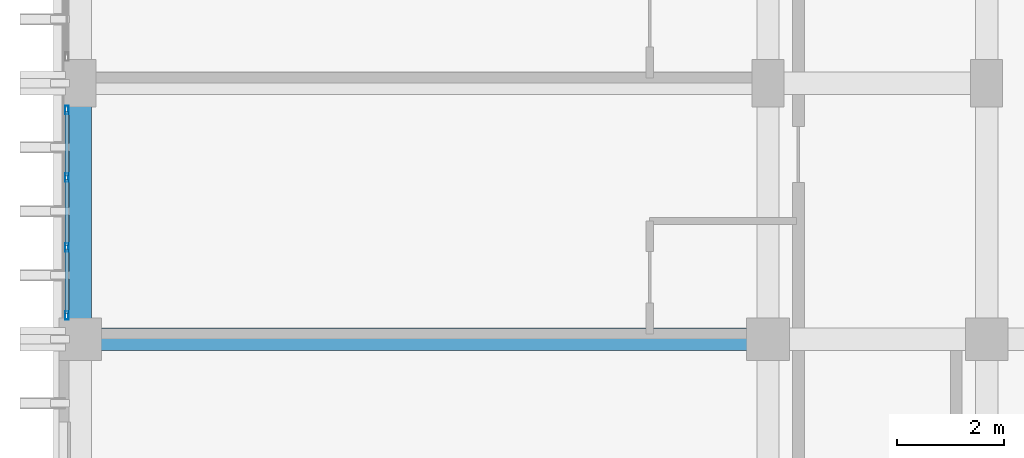
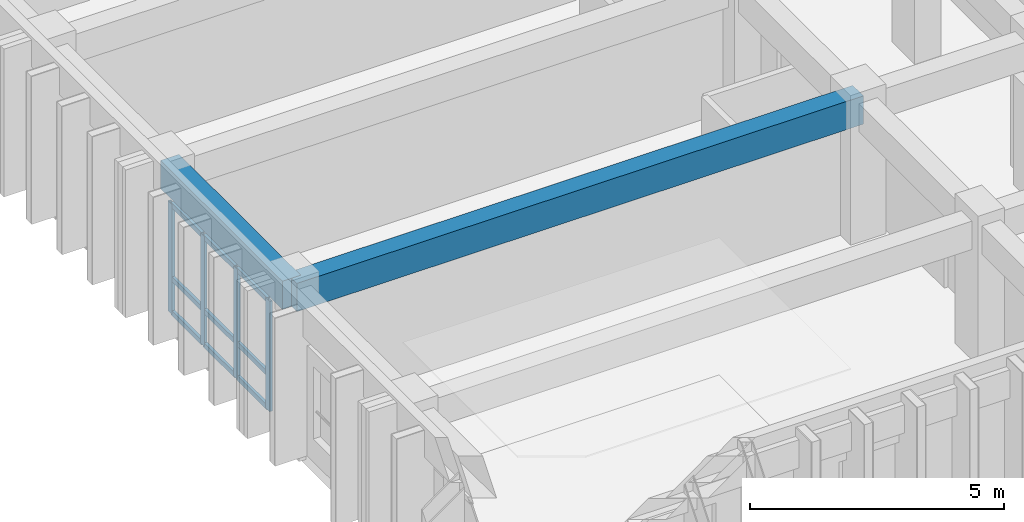
# One storey, part 6 of 82: 13 members, 2 beams, 1 element without a shape of its own.
"""IFC4 building model written with IfcOpenShell, lengths in metres."""

import ifcopenshell
import ifcopenshell.guid

model = None  # the IFC model being written
_history = None  # IfcOwnerHistory: only IFC2X3 demands one
_inside = {}  # id of a spatial element -> (the spatial element, [elements in it])
_under = {}  # id of a project, library or spatial element -> (it, [spatial elements below it])
_declared = {}  # id of a project -> (the project, [libraries it declares])
_typed = {}  # id of a type object -> (the type object, [elements of that type])
_made_of = {}  # id of a material, layer set ... -> (it, [elements and type objects made of it])


def new_model(schema):
    """Start an empty IFC model of exactly this schema.

    Asked for "IFC4X3", IfcOpenShell would pick the latest addendum, in which some entities
    have other attributes; the version numbers below select the first issue.
    IFC2X3 requires an IfcOwnerHistory on every rooted entity: one is made here for all.
    """
    global model, _history
    if schema == "IFC4X3":
        model = ifcopenshell.file(schema_version=(4, 3, 0, 0))
    else:
        model = ifcopenshell.file(schema=schema)
    _inside.clear()
    _under.clear()
    _declared.clear()
    _typed.clear()
    _made_of.clear()
    _history = None
    if model.schema == "IFC2X3":
        org = make("IfcOrganization", Name="unknown")
        user = make(
            "IfcPersonAndOrganization",
            ThePerson=make("IfcPerson", FamilyName="unknown"),
            TheOrganization=org,
        )
        app = make(
            "IfcApplication",
            ApplicationDeveloper=org,
            Version="unknown",
            ApplicationFullName="unknown",
            ApplicationIdentifier="unknown",
        )
        _history = make(
            "IfcOwnerHistory",
            OwningUser=user,
            OwningApplication=app,
            ChangeAction="ADDED",
            CreationDate=0,
        )
    return model


def make(cls, **values):
    """One entity of the class cls with the attributes given. An attribute that is None is left unset."""
    return model.create_entity(
        cls, **{name: value for name, value in values.items() if value is not None}
    )


def rooted(cls, **values):
    """An entity with a GlobalId (a new one), such as an element, a storey or a relation."""
    return make(cls, GlobalId=ifcopenshell.guid.new(), OwnerHistory=_history, **values)


def si_unit(unit_type, name, prefix=None):
    """IfcSIUnit, for example si_unit("LENGTHUNIT", "METRE", prefix="MILLI")."""
    return make("IfcSIUnit", UnitType=unit_type, Prefix=prefix, Name=name)


def assignment(units):
    """IfcUnitAssignment: the units of a project."""
    return None if units is None else make("IfcUnitAssignment", Units=units)


def point(xyz):
    """IfcCartesianPoint."""
    return None if xyz is None else make("IfcCartesianPoint", Coordinates=xyz)


def direction(xyz):
    """IfcDirection."""
    return None if xyz is None else make("IfcDirection", DirectionRatios=xyz)


def frame(location, z_axis=None, x_axis=None):
    """IfcAxis2Placement3D, a coordinate frame: its origin and axes. An axis left out is left unset."""
    return make(
        "IfcAxis2Placement3D",
        Location=point(location),
        Axis=direction(z_axis),
        RefDirection=direction(x_axis),
    )


def frame_2d(location, x_axis=None):
    """IfcAxis2Placement2D, a coordinate frame in the plane: its origin and x axis."""
    return make(
        "IfcAxis2Placement2D", Location=point(location), RefDirection=direction(x_axis)
    )


def origin():
    """The frame at (0, 0, 0) with its axes left unset."""
    return frame((0.0, 0.0, 0.0))


def origin_2d():
    """The frame at (0, 0) in the plane with its x axis left unset."""
    return frame_2d((0.0, 0.0))


def place(relative_to, where):
    """IfcLocalPlacement: puts the frame where relative to a parent placement (None: the world)."""
    return make(
        "IfcLocalPlacement", PlacementRelTo=relative_to, RelativePlacement=where
    )


def context(
    kind, dimensions, precision=None, world=None, true_north=None, identifier=None
):
    """IfcGeometricRepresentationContext, for example the 3D "Model" context."""
    return make(
        "IfcGeometricRepresentationContext",
        ContextIdentifier=identifier,
        ContextType=kind,
        CoordinateSpaceDimension=dimensions,
        Precision=precision,
        WorldCoordinateSystem=world,
        TrueNorth=true_north,
    )


def subcontext(parent, identifier, kind, view, scale=None):
    """IfcGeometricRepresentationSubContext, for example "Body" below "Model"."""
    return make(
        "IfcGeometricRepresentationSubContext",
        ContextIdentifier=identifier,
        ContextType=kind,
        ParentContext=parent,
        TargetScale=scale,
        TargetView=view,
    )


def project(units=None, contexts=None):
    """IfcProject with its units and contexts."""
    return rooted(
        "IfcProject",
        Name="project",
        RepresentationContexts=contexts,
        UnitsInContext=assignment(units),
    )


def spatial(cls, under=None, at=None, **own):
    """A site, building, storey or space (cls), placed at a placement, below another one or the project."""
    s = rooted(cls, ObjectPlacement=at, **own)
    if under is not None:
        _under.setdefault(under.id(), (under, []))[1].append(s)
    return s


def profile(cls, at=None, kind="AREA", **sizes):
    """A parametric profile (cls). Its sizes go by their IFC names, for example OverallWidth=200.0."""
    return make(cls, ProfileType=kind, Position=at, **sizes)


def rectangle(**sizes):
    """IfcRectangleProfileDef."""
    return profile("IfcRectangleProfileDef", **sizes)


def hollow_rectangle(**sizes):
    """IfcRectangleHollowProfileDef."""
    return profile("IfcRectangleHollowProfileDef", **sizes)


def extrude(swept, where, along, depth):
    """IfcExtrudedAreaSolid: the profile swept, set in the frame where, extruded along a direction by depth."""
    return make(
        "IfcExtrudedAreaSolid",
        SweptArea=swept,
        Position=where,
        ExtrudedDirection=direction(along),
        Depth=depth,
    )


def shape(context_of_items, identifier, shape_type, items):
    """IfcShapeRepresentation: the items that make up one representation, for example the "Body"."""
    return make(
        "IfcShapeRepresentation",
        ContextOfItems=context_of_items,
        RepresentationIdentifier=identifier,
        RepresentationType=shape_type,
        Items=items,
    )


def material(Name=None, Category=None):
    """IfcMaterial."""
    return make("IfcMaterial", Name=Name, Category=Category)


def layer(
    of_material, thickness, ventilated=None, Name=None, Category=None, Priority=None
):
    """IfcMaterialLayer: one layer of a wall or slab, of a material (None: an air gap)."""
    return make(
        "IfcMaterialLayer",
        Material=of_material,
        LayerThickness=thickness,
        IsVentilated=ventilated,
        Name=Name,
        Category=Category,
        Priority=Priority,
    )


def layer_set(layers, Name=None):
    """IfcMaterialLayerSet."""
    return make("IfcMaterialLayerSet", MaterialLayers=layers, LayerSetName=Name)


def material_profile(
    of_material, cross_section, Name=None, Category=None, Priority=None
):
    """IfcMaterialProfile: a cross section and its material."""
    return make(
        "IfcMaterialProfile",
        Name=Name,
        Material=of_material,
        Profile=cross_section,
        Priority=Priority,
        Category=Category,
    )


def profile_set(profiles, Name=None, composite=None):
    """IfcMaterialProfileSet."""
    return make(
        "IfcMaterialProfileSet",
        Name=Name,
        MaterialProfiles=profiles,
        CompositeProfile=composite,
    )


def made_of(thing, what):
    """Note that an element or type object is made of a material, layer set ...; save() writes the relation."""
    if what is not None:
        _made_of.setdefault(what.id(), (what, []))[1].append(thing)
    return thing


def type_object(cls, material=None, **own):
    """A type object (cls), such as IfcWallType, which elements share."""
    return made_of(rooted(cls, **own), material)


def element(
    cls,
    number,
    at=None,
    inside=None,
    cuts=None,
    type_object=None,
    material=None,
    context=None,
    identifier="Body",
    shape_type=None,
    held_by="IfcProductDefinitionShape",
    body=None,
    shapes=None,
    **own,
):
    """One element of the class cls, such as IfcWall. Its Tag is "e" and its number.

    at: its placement. inside: the storey or other place that contains it. cuts: it is an
    opening in that element (IfcRelVoidsElement). A single representation is given by context,
    identifier, shape_type and body (its items); several are given by shapes. held_by: the class
    of the entity that holds the representations. save() writes the other relations.
    """
    e = rooted(cls, Tag="e%d" % number, ObjectPlacement=at, **own)
    if body is not None:
        shapes = [shape(context, identifier, shape_type, body)]
    if shapes is not None:
        e.Representation = make(held_by, Representations=shapes)
    if inside is not None:
        _inside.setdefault(inside.id(), (inside, []))[1].append(e)
    if cuts is not None:
        rooted(
            "IfcRelVoidsElement", RelatingBuildingElement=cuts, RelatedOpeningElement=e
        )
    if type_object is not None:
        _typed.setdefault(type_object.id(), (type_object, []))[1].append(e)
    return made_of(e, material)


def aggregate(whole, parts):
    """IfcRelAggregates: a whole, such as a stair, and the parts it consists of."""
    return rooted("IfcRelAggregates", RelatingObject=whole, RelatedObjects=parts)


def save(model, path):
    """Write the relations noted so far, then the file.

    IfcRelAggregates (storeys below a building ...), IfcRelContainedInSpatialStructure (elements
    in a storey), IfcRelDefinesByType, IfcRelAssociatesMaterial and IfcRelDeclares: one each for
    every whole, place, type object, material and project.
    """
    for whole, parts in _under.values():
        aggregate(whole, parts)
    for where, things in _inside.values():
        rooted(
            "IfcRelContainedInSpatialStructure",
            RelatedElements=things,
            RelatingStructure=where,
        )
    for kind, things in _typed.values():
        rooted("IfcRelDefinesByType", RelatedObjects=things, RelatingType=kind)
    for what, things in _made_of.values():
        rooted("IfcRelAssociatesMaterial", RelatedObjects=things, RelatingMaterial=what)
    for by, libraries in _declared.values():
        rooted("IfcRelDeclares", RelatingContext=by, RelatedDefinitions=libraries)
    model.write(path)


model = new_model("IFC4")

# Units and contexts
model_context = context("Model", 3, precision=1e-05, world=origin(), true_north=direction((0.0, 1.0)))
body_context = subcontext(model_context, "Body", "Model", "MODEL_VIEW")
ifc_project = project(units=[si_unit("LENGTHUNIT", "METRE"), si_unit("AREAUNIT", "SQUARE_METRE"), si_unit("VOLUMEUNIT", "CUBIC_METRE"), si_unit("PLANEANGLEUNIT", "RADIAN"), si_unit("MASSUNIT", "GRAM", prefix="KILO")], contexts=[model_context])

# Site, building, storey
site_placement = place(None, origin())
site = spatial("IfcSite", under=ifc_project, at=site_placement, CompositionType="ELEMENT")
building_placement = place(site_placement, origin())
building = spatial("IfcBuilding", under=site, at=building_placement, Name="Nakhvara Creek Congress Hotel", CompositionType="ELEMENT")
storey_placement = place(building_placement, frame((0.0, 0.0, 21.0)))
storey = spatial("IfcBuildingStorey", under=building, at=storey_placement, Name="L04", CompositionType="ELEMENT", Elevation=21.0)

# Beams
ifc_material_1 = material(Name="Concrete C40/50", Category="concrete")
ifc_material_profile_1 = material_profile(ifc_material_1, rectangle(XDim=0.419921875, YDim=0.679931640625, at=origin_2d()), Name="RC-BM 420x680", Category="LoadBearing")
ifc_profile_set_1 = profile_set([ifc_material_profile_1], Name="Concrete C40/50")
beam_type = type_object("IfcBeamType", Name="BM-RC-420X680", PredefinedType="BEAM", material=ifc_profile_set_1)
beam_1_placement = place(storey_placement, frame((149.449951171875, 28.800048828125, 3.0), z_axis=(1.0, 0.0, 0.0), x_axis=(0.0, 1.0, 0.0)))
element("IfcBeam", 1, at=beam_1_placement, inside=storey, type_object=beam_type, Name="Beam B11-L04-1911", PredefinedType="BEAM", context=body_context, shape_type="SweptSolid", body=[
    extrude(rectangle(XDim=0.419921875, YDim=0.679931640625, at=origin_2d()), origin(), (0.0, 0.0, 1.0), 12.900146484375),
])
beam_2_placement = place(storey_placement, frame((149.449951171875, 28.800048828125, 3.0), z_axis=(0.0, 1.0, 0.0), x_axis=(-1.0, 0.0, 0.0)))
element("IfcBeam", 2, at=beam_2_placement, inside=storey, type_object=beam_type, Name="Beam B11-L04-1913", PredefinedType="BEAM", context=body_context, shape_type="SweptSolid", body=[
    extrude(rectangle(XDim=0.419921875, YDim=0.679931640625, at=origin_2d()), origin(), (0.0, 0.0, 1.0), 4.800048828125),
])

# Curtain wall, members
ifc_material_2 = material(Name="Bronze-anodised aluminium AW-6063-T6 and double-silver low-E glass", Category="aluminium")
ifc_layer = layer(ifc_material_2, 0.199951171875)
ifc_layer_set = layer_set([ifc_layer], Name="Bronze-anodised aluminium AW-6063-T6 and double-silver low-E glass")
curtain_wall_type = type_object("IfcCurtainWallType", Name="CW-HTL-UNIT", PredefinedType="USERDEFINED", material=ifc_layer_set)
curtain_wall_placement = place(storey_placement, origin())
curtain_wall = element("IfcCurtainWall", 3, at=curtain_wall_placement, inside=storey, type_object=curtain_wall_type, Name="Curtain Wall CW175", ObjectType="UNITISED", PredefinedType="USERDEFINED")
ifc_material_3 = material(Name="Bronze-anodised aluminium AW-6063-T6", Category="aluminium")
ifc_material_profile_2 = material_profile(ifc_material_3, hollow_rectangle(XDim=0.06494140625, YDim=0.159912109375, WallThickness=0.00390625, at=origin_2d()), Name="ALU-MULL 65x160x4", Category="LoadBearing")
ifc_profile_set_2 = profile_set([ifc_material_profile_2], Name="Bronze-anodised aluminium AW-6063-T6")
member_type_1 = type_object("IfcMemberType", Name="CW-MULL-160", PredefinedType="MULLION", material=ifc_profile_set_2)
member_1_placement = place(storey_placement, frame((149.199951171875, 29.24755859375, 0.0), z_axis=(0.0, 0.0, 1.0), x_axis=(-1.0, 0.0, 0.0)))
member_1 = element("IfcMember", 4, at=member_1_placement, type_object=member_type_1, Name="CW175 mullion 1", PredefinedType="MULLION", context=body_context, shape_type="SweptSolid", body=[
    extrude(hollow_rectangle(XDim=0.06494140625, YDim=0.159912109375, WallThickness=0.00390625, at=origin_2d()), origin(), (0.0, 0.0, 1.0), 2.652099609375),
])
member_2_placement = place(storey_placement, frame((149.199951171875, 30.521728515625, 0.0), z_axis=(0.0, 0.0, 1.0), x_axis=(-1.0, 0.0, 0.0)))
member_2 = element("IfcMember", 5, at=member_2_placement, type_object=member_type_1, Name="CW175 mullion 2", PredefinedType="MULLION", context=body_context, shape_type="SweptSolid", body=[
    extrude(hollow_rectangle(XDim=0.06494140625, YDim=0.159912109375, WallThickness=0.00390625, at=origin_2d()), origin(), (0.0, 0.0, 1.0), 2.652099609375),
])
member_3_placement = place(storey_placement, frame((149.199951171875, 31.828369140625, 0.0), z_axis=(0.0, 0.0, 1.0), x_axis=(-1.0, 0.0, 0.0)))
member_3 = element("IfcMember", 6, at=member_3_placement, type_object=member_type_1, Name="CW175 mullion 3", PredefinedType="MULLION", context=body_context, shape_type="SweptSolid", body=[
    extrude(hollow_rectangle(XDim=0.06494140625, YDim=0.159912109375, WallThickness=0.00390625, at=origin_2d()), origin(), (0.0, 0.0, 1.0), 2.652099609375),
])
member_4_placement = place(storey_placement, frame((149.199951171875, 33.1025390625, 0.0), z_axis=(0.0, 0.0, 1.0), x_axis=(-1.0, 0.0, 0.0)))
member_4 = element("IfcMember", 7, at=member_4_placement, type_object=member_type_1, Name="CW175 mullion 4", PredefinedType="MULLION", context=body_context, shape_type="SweptSolid", body=[
    extrude(hollow_rectangle(XDim=0.06494140625, YDim=0.159912109375, WallThickness=0.00390625, at=origin_2d()), origin(), (0.0, 0.0, 1.0), 2.652099609375),
])
ifc_material_profile_3 = material_profile(ifc_material_3, hollow_rectangle(XDim=0.06494140625, YDim=0.1201171875, WallThickness=0.00390625, at=origin_2d()), Name="ALU-TRAN 65x120x4", Category="LoadBearing")
ifc_profile_set_3 = profile_set([ifc_material_profile_3], Name="Bronze-anodised aluminium AW-6063-T6")
member_type_2 = type_object("IfcMemberType", Name="CW-TRAN-120", PredefinedType="USERDEFINED", material=ifc_profile_set_3)
member_5_placement = place(storey_placement, frame((149.199951171875, 29.280029296875, 0.032470703125), z_axis=(0.0, 1.0, 0.0), x_axis=(-1.0, 0.0, 0.0)))
member_5 = element("IfcMember", 8, at=member_5_placement, type_object=member_type_2, Name="CW175 transom 1.1", ObjectType="TRANSOM", PredefinedType="USERDEFINED", context=body_context, shape_type="SweptSolid", body=[
    extrude(hollow_rectangle(XDim=0.06494140625, YDim=0.1201171875, WallThickness=0.00390625, at=origin_2d()), origin(), (0.0, 0.0, 1.0), 1.209228515625),
])
member_6_placement = place(storey_placement, frame((149.199951171875, 29.280029296875, 0.85009765625), z_axis=(0.0, 1.0, 0.0), x_axis=(-1.0, 0.0, 0.0)))
member_6 = element("IfcMember", 9, at=member_6_placement, type_object=member_type_2, Name="CW175 transom 1.2", ObjectType="TRANSOM", PredefinedType="USERDEFINED", context=body_context, shape_type="SweptSolid", body=[
    extrude(hollow_rectangle(XDim=0.06494140625, YDim=0.1201171875, WallThickness=0.00390625, at=origin_2d()), origin(), (0.0, 0.0, 1.0), 1.209228515625),
])
member_7_placement = place(storey_placement, frame((149.199951171875, 29.280029296875, 2.619384765625), z_axis=(0.0, 1.0, 0.0), x_axis=(-1.0, 0.0, 0.0)))
member_7 = element("IfcMember", 10, at=member_7_placement, type_object=member_type_2, Name="CW175 transom 1.3", ObjectType="TRANSOM", PredefinedType="USERDEFINED", context=body_context, shape_type="SweptSolid", body=[
    extrude(hollow_rectangle(XDim=0.06494140625, YDim=0.1201171875, WallThickness=0.00390625, at=origin_2d()), origin(), (0.0, 0.0, 1.0), 1.209228515625),
])
member_8_placement = place(storey_placement, frame((149.199951171875, 30.55419921875, 0.032470703125), z_axis=(0.0, 1.0, 0.0), x_axis=(-1.0, 0.0, 0.0)))
member_8 = element("IfcMember", 11, at=member_8_placement, type_object=member_type_2, Name="CW175 transom 2.1", ObjectType="TRANSOM", PredefinedType="USERDEFINED", context=body_context, shape_type="SweptSolid", body=[
    extrude(hollow_rectangle(XDim=0.06494140625, YDim=0.1201171875, WallThickness=0.00390625, at=origin_2d()), origin(), (0.0, 0.0, 1.0), 1.24169921875),
])
member_9_placement = place(storey_placement, frame((149.199951171875, 30.55419921875, 0.85009765625), z_axis=(0.0, 1.0, 0.0), x_axis=(-1.0, 0.0, 0.0)))
member_9 = element("IfcMember", 12, at=member_9_placement, type_object=member_type_2, Name="CW175 transom 2.2", ObjectType="TRANSOM", PredefinedType="USERDEFINED", context=body_context, shape_type="SweptSolid", body=[
    extrude(hollow_rectangle(XDim=0.06494140625, YDim=0.1201171875, WallThickness=0.00390625, at=origin_2d()), origin(), (0.0, 0.0, 1.0), 1.24169921875),
])
member_10_placement = place(storey_placement, frame((149.199951171875, 30.55419921875, 2.619384765625), z_axis=(0.0, 1.0, 0.0), x_axis=(-1.0, 0.0, 0.0)))
member_10 = element("IfcMember", 13, at=member_10_placement, type_object=member_type_2, Name="CW175 transom 2.3", ObjectType="TRANSOM", PredefinedType="USERDEFINED", context=body_context, shape_type="SweptSolid", body=[
    extrude(hollow_rectangle(XDim=0.06494140625, YDim=0.1201171875, WallThickness=0.00390625, at=origin_2d()), origin(), (0.0, 0.0, 1.0), 1.24169921875),
])
member_11_placement = place(storey_placement, frame((149.199951171875, 31.86083984375, 0.032470703125), z_axis=(0.0, 1.0, 0.0), x_axis=(-1.0, 0.0, 0.0)))
member_11 = element("IfcMember", 14, at=member_11_placement, type_object=member_type_2, Name="CW175 transom 3.1", ObjectType="TRANSOM", PredefinedType="USERDEFINED", context=body_context, shape_type="SweptSolid", body=[
    extrude(hollow_rectangle(XDim=0.06494140625, YDim=0.1201171875, WallThickness=0.00390625, at=origin_2d()), origin(), (0.0, 0.0, 1.0), 1.209228515625),
])
member_12_placement = place(storey_placement, frame((149.199951171875, 31.86083984375, 0.85009765625), z_axis=(0.0, 1.0, 0.0), x_axis=(-1.0, 0.0, 0.0)))
member_12 = element("IfcMember", 15, at=member_12_placement, type_object=member_type_2, Name="CW175 transom 3.2", ObjectType="TRANSOM", PredefinedType="USERDEFINED", context=body_context, shape_type="SweptSolid", body=[
    extrude(hollow_rectangle(XDim=0.06494140625, YDim=0.1201171875, WallThickness=0.00390625, at=origin_2d()), origin(), (0.0, 0.0, 1.0), 1.209228515625),
])
member_13_placement = place(storey_placement, frame((149.199951171875, 31.86083984375, 2.619384765625), z_axis=(0.0, 1.0, 0.0), x_axis=(-1.0, 0.0, 0.0)))
member_13 = element("IfcMember", 16, at=member_13_placement, type_object=member_type_2, Name="CW175 transom 3.3", ObjectType="TRANSOM", PredefinedType="USERDEFINED", context=body_context, shape_type="SweptSolid", body=[
    extrude(hollow_rectangle(XDim=0.06494140625, YDim=0.1201171875, WallThickness=0.00390625, at=origin_2d()), origin(), (0.0, 0.0, 1.0), 1.209228515625),
])
aggregate(curtain_wall, [member_1, member_2, member_3, member_4, member_5, member_6, member_7, member_8, member_9, member_10, member_11, member_12, member_13])

save(model, "model.ifc")
